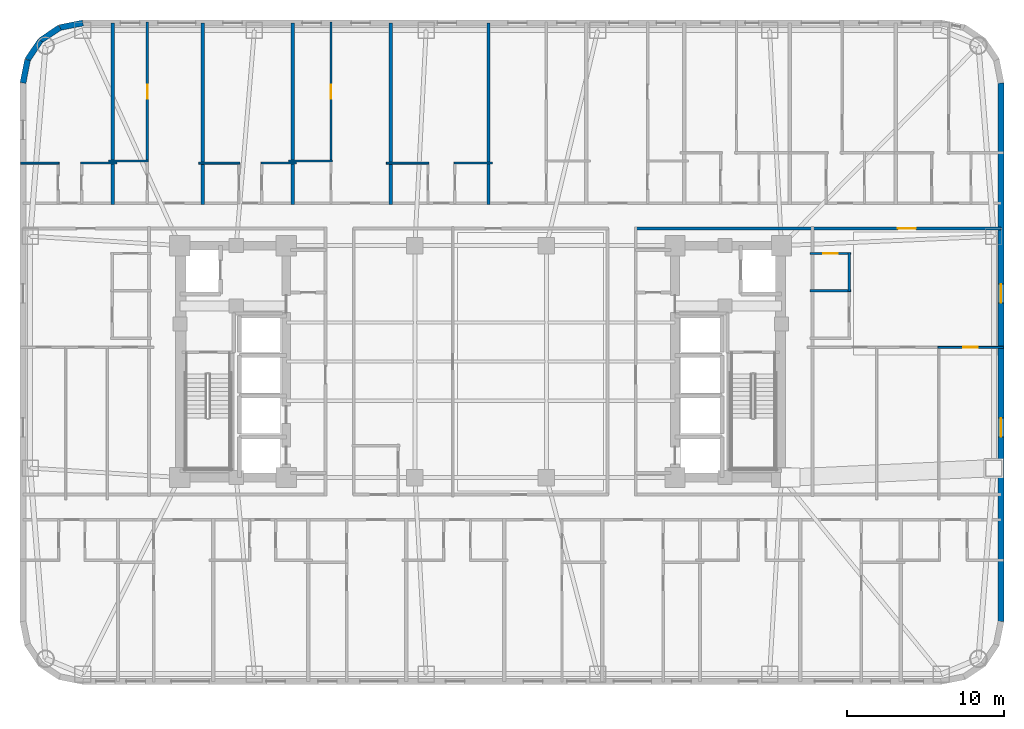
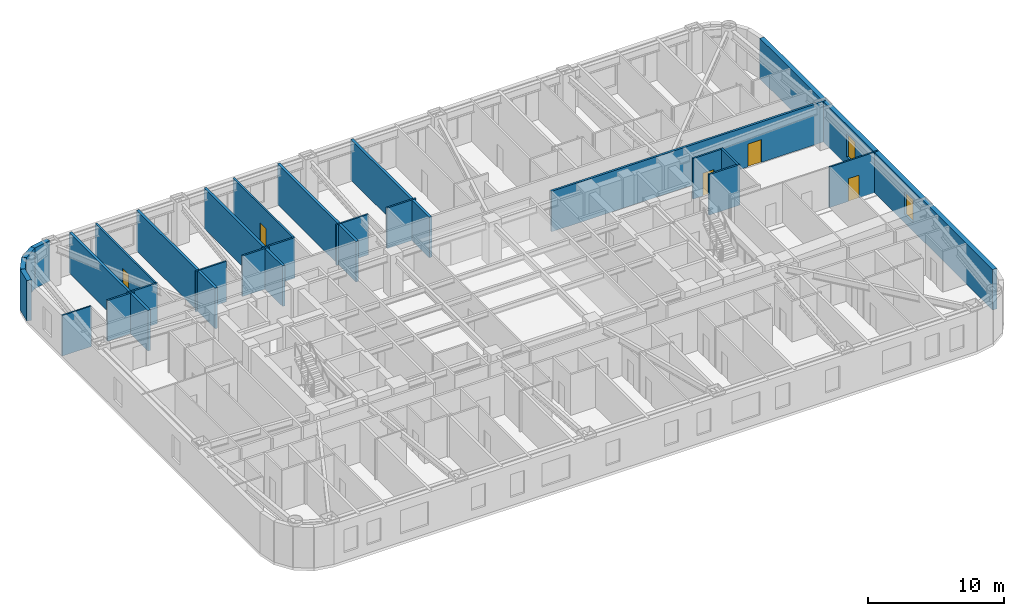
# One storey, part 8 of 13: 25 walls, 5 doors, 2 windows, 7 openings.
"""IFC4 building model written with IfcOpenShell, lengths in metres."""

from ifc_helpers import new_model, si_unit, direction, frame, frame_2d, origin, place, context, subcontext, project, spatial, rectangle, extrude, material, layer, layer_set, type_object, element, fill, save


model = new_model("IFC4")

# Units and contexts
model_context = context("Model", 3, precision=1e-05, world=origin(), true_north=direction((0.0, 1.0)))
body_context = subcontext(model_context, "Body", "Model", "MODEL_VIEW")
ifc_project = project(units=[si_unit("LENGTHUNIT", "METRE"), si_unit("AREAUNIT", "SQUARE_METRE"), si_unit("VOLUMEUNIT", "CUBIC_METRE"), si_unit("PLANEANGLEUNIT", "RADIAN"), si_unit("MASSUNIT", "GRAM", prefix="KILO")], contexts=[model_context])

# Site, building, storey
site_placement = place(None, origin())
site = spatial("IfcSite", under=ifc_project, at=site_placement, CompositionType="ELEMENT")
building_placement = place(site_placement, origin())
building = spatial("IfcBuilding", under=site, at=building_placement, Name="Voryun Gate Residences", CompositionType="ELEMENT")
storey_placement = place(building_placement, frame((0.0, 0.0, 124.800048828125)))
storey = spatial("IfcBuildingStorey", under=building, at=storey_placement, Name="L30", CompositionType="ELEMENT", Elevation=124.800048828125)

# Wall, opening, door
ifc_material_1 = material(Name="Gypsum acoustic fireboard")
ifc_layer_1 = layer(ifc_material_1, 0.179931640625, Name="W_CORR_RATED_180")
ifc_layer_set_1 = layer_set([ifc_layer_1], Name="Gypsum acoustic fireboard")
wall_type_1 = type_object("IfcWallType", Name="W_CORR_RATED_180", PredefinedType="PARTITIONING", material=ifc_layer_set_1)
wall_1_placement = place(storey_placement, frame((9.8798828125, 8.489990234375, 0.0), z_axis=(0.0, 0.0, 1.0), x_axis=(1.0, 0.0, 0.0)))
wall_1 = element("IfcWall", 1, at=wall_1_placement, inside=storey, type_object=wall_type_1, Name="Partition wall WP-L30-CWING-EN", PredefinedType="PARTITIONING", context=body_context, shape_type="SweptSolid", body=[
    extrude(rectangle(XDim=23.330078125, YDim=0.179931640625, at=frame_2d((11.6650390625, 0.0))), origin(), (0.0, 0.0, 1.0), 3.64990234375),
])
opening_1_placement = place(wall_1_placement, frame((16.740478515625, 0.0, 0.0)))
opening_1 = element("IfcOpeningElement", 2, at=opening_1_placement, cuts=wall_1, Name="Opening D-UNIT-1", PredefinedType="OPENING", context=body_context, shape_type="SweptSolid", body=[
    extrude(rectangle(XDim=1.14990234375, YDim=2.050048828125, at=frame_2d((0.574951171875, 1.02490234375))), frame((0.0, 0.099853515625, 0.0), z_axis=(0.0, -1.0, 0.0), x_axis=(1.0, 0.0, 0.0)), (0.0, 0.0, 1.0), 0.199951171875),
])
ifc_material_2 = material(Name="Armoured timber-clad fire door", Category="wood")
door_type_1 = type_object("IfcDoorType", Name="DR_UNIT_ENTRY_1150", OperationType="NOTDEFINED", PredefinedType="DOOR", material=ifc_material_2)
door_1_placement = place(opening_1_placement, origin())
door_1 = element("IfcDoor", 3, at=door_1_placement, inside=storey, type_object=door_type_1, Name="Door DR-L30-EE1N", OperationType="SINGLE_SWING_LEFT", OverallHeight=2.050048828125, OverallWidth=1.14990234375, PredefinedType="DOOR", context=body_context, shape_type="SweptSolid", body=[
    extrude(rectangle(XDim=1.14990234375, YDim=2.050048828125, at=frame_2d((0.574951171875, 1.02490234375))), frame((0.0, 0.02490234375, 0.0), z_axis=(0.0, -1.0, 0.0), x_axis=(1.0, 0.0, 0.0)), (0.0, 0.0, 1.0), 0.050048828125),
])
fill(opening_1, door_1)

# Walls
ifc_material_3 = material(Name="Granite masonry", Category="masonry")
ifc_layer_2 = layer(ifc_material_3, 0.3798828125, Name="W_EXT_GRANITE_380")
ifc_layer_set_2 = layer_set([ifc_layer_2], Name="Granite masonry")
wall_type_2 = type_object("IfcWallType", Name="W_EXT_GRANITE_380", PredefinedType="ELEMENTEDWALL", material=ifc_layer_set_2)
wall_2_placement = place(storey_placement, frame((-29.2099609375, 17.78125, 0.0), z_axis=(0.0, 0.0, 1.0), x_axis=(0.195086038585, 0.980786132421, 0.0)))
element("IfcWall", 4, at=wall_2_placement, inside=storey, type_object=wall_type_2, Name="Exterior wall WEXT-L30-07", PredefinedType="ELEMENTEDWALL", context=body_context, shape_type="SweptSolid", body=[
    extrude(rectangle(XDim=1.504150390625, YDim=0.3798828125, at=frame_2d((0.751953125, 0.0))), origin(), (0.0, 0.0, 1.0), 3.64990234375),
])
wall_3_placement = place(storey_placement, frame((-28.91650390625, 19.256591796875, 0.0), z_axis=(0.0, 0.0, 1.0), x_axis=(0.555610286119, 0.831442848281, 0.0)))
element("IfcWall", 5, at=wall_3_placement, inside=storey, type_object=wall_type_2, Name="Exterior wall WEXT-L30-08", PredefinedType="ELEMENTEDWALL", context=body_context, shape_type="SweptSolid", body=[
    extrude(rectangle(XDim=1.485107421875, YDim=0.3798828125, at=frame_2d((0.74267578125, 0.0))), origin(), (0.0, 0.0, 1.0), 3.64990234375),
])
wall_4_placement = place(storey_placement, frame((-28.09130859375, 20.491455078125, 0.0), z_axis=(0.0, 0.0, 1.0), x_axis=(0.831468045563, 0.555572577804, 0.0)))
element("IfcWall", 6, at=wall_4_placement, inside=storey, type_object=wall_type_2, Name="Exterior wall WEXT-L30-09", PredefinedType="ELEMENTEDWALL", context=body_context, shape_type="SweptSolid", body=[
    extrude(rectangle(XDim=1.48486328125, YDim=0.3798828125, at=frame_2d((0.742431640625, 0.0))), origin(), (0.0, 0.0, 1.0), 3.64990234375),
])
wall_5_placement = place(storey_placement, frame((-26.856689453125, 21.31640625, 0.0), z_axis=(0.0, 0.0, 1.0), x_axis=(0.980755066645, 0.195242155415, 0.0)))
element("IfcWall", 7, at=wall_5_placement, inside=storey, type_object=wall_type_2, Name="Exterior wall WEXT-L30-10", PredefinedType="ELEMENTEDWALL", context=body_context, shape_type="SweptSolid", body=[
    extrude(rectangle(XDim=1.50439453125, YDim=0.3798828125, at=frame_2d((0.752197265625, 0.0))), origin(), (0.0, 0.0, 1.0), 3.64990234375),
])

# Wall, openings, windows
wall_6_placement = place(storey_placement, frame((33.2099609375, 17.78125, 0.0), z_axis=(0.0, 0.0, 1.0), x_axis=(0.0, -1.0, 0.0)))
wall_6 = element("IfcWall", 8, at=wall_6_placement, inside=storey, type_object=wall_type_2, Name="Exterior wall WEXT-L30-16", PredefinedType="ELEMENTEDWALL", context=body_context, shape_type="SweptSolid", body=[
    extrude(rectangle(XDim=34.362548828125, YDim=0.3798828125, at=frame_2d((17.18115234375, 0.0))), origin(), (0.0, 0.0, 1.0), 3.64990234375),
])
opening_2_placement = place(wall_6_placement, frame((12.836181640625, 0.0, 0.75)))
opening_2 = element("IfcOpeningElement", 9, at=opening_2_placement, cuts=wall_6, Name="Opening WN6", PredefinedType="OPENING", context=body_context, shape_type="SweptSolid", body=[
    extrude(rectangle(XDim=1.199951171875, YDim=2.050048828125, at=frame_2d((0.60009765625, 1.02490234375))), frame((0.0, 0.199951171875, 0.0), z_axis=(0.0, -1.0, 0.0), x_axis=(1.0, 0.0, 0.0)), (0.0, 0.0, 1.0), 0.39990234375),
])
opening_3_placement = place(wall_6_placement, frame((21.38623046875, 0.0, 0.75)))
opening_3 = element("IfcOpeningElement", 10, at=opening_3_placement, cuts=wall_6, Name="Opening WN6", PredefinedType="OPENING", context=body_context, shape_type="SweptSolid", body=[
    extrude(rectangle(XDim=1.199951171875, YDim=2.050048828125, at=frame_2d((0.60009765625, 1.02490234375))), frame((0.0, 0.199951171875, 0.0), z_axis=(0.0, -1.0, 0.0), x_axis=(1.0, 0.0, 0.0)), (0.0, 0.0, 1.0), 0.39990234375),
])
ifc_material_4 = material(Name="Laminated low-E glass", Category="glass")
window_type = type_object("IfcWindowType", Name="WN_POD_SLOT_1200", PartitioningType="SINGLE_PANEL", PredefinedType="WINDOW", material=ifc_material_4)
window_1_placement = place(opening_2_placement, origin())
window_1 = element("IfcWindow", 11, at=window_1_placement, inside=storey, type_object=window_type, Name="Window WN-L30-DWFIX-29", OverallHeight=2.050048828125, OverallWidth=1.199951171875, PartitioningType="SINGLE_PANEL", PredefinedType="WINDOW", context=body_context, shape_type="SweptSolid", body=[
    extrude(rectangle(XDim=1.199951171875, YDim=2.050048828125, at=frame_2d((0.60009765625, 1.02490234375))), frame((0.0, 0.030029296875, 0.0), z_axis=(0.0, -1.0, 0.0), x_axis=(1.0, 0.0, 0.0)), (0.0, 0.0, 1.0), 0.06005859375),
])
fill(opening_2, window_1)
window_2_placement = place(opening_3_placement, origin())
window_2 = element("IfcWindow", 12, at=window_2_placement, inside=storey, type_object=window_type, Name="Window WN-L30-DWFIX-30", OverallHeight=2.050048828125, OverallWidth=1.199951171875, PartitioningType="SINGLE_PANEL", PredefinedType="WINDOW", context=body_context, shape_type="SweptSolid", body=[
    extrude(rectangle(XDim=1.199951171875, YDim=2.050048828125, at=frame_2d((0.60009765625, 1.02490234375))), frame((0.0, 0.030029296875, 0.0), z_axis=(0.0, -1.0, 0.0), x_axis=(1.0, 0.0, 0.0)), (0.0, 0.0, 1.0), 0.06005859375),
])
fill(opening_3, window_2)

# Walls
ifc_material_5 = material(Name="Concrete C40/50", Category="concrete")
ifc_layer_3 = layer(ifc_material_5, 0.219970703125, Name="W_PARTY_ACOUSTIC_220")
ifc_layer_set_3 = layer_set([ifc_layer_3], Name="Concrete C40/50")
wall_type_3 = type_object("IfcWallType", Name="W_PARTY_ACOUSTIC_220", PredefinedType="PARTITIONING", material=ifc_layer_set_3)
for number, where, z_axis, x_axis, name in (
    (13, (-23.47802734375, 10.02001953125, 0.0), (0.0, 0.0, 1.0), (0.0, 1.0, 0.0), "Partition wall WP-L30-NPTY-1"),
    (14, (-17.739013671875, 10.02001953125, 0.0), (0.0, 0.0, 1.0), (0.0, 1.0, 0.0), "Partition wall WP-L30-NPTY-2"),
    (15, (-12.0, 10.02001953125, 0.0), (0.0, 0.0, 1.0), (0.0, 1.0, 0.0), "Partition wall WP-L30-NPTY-3"),
    (16, (-5.75, 10.02001953125, 0.0), (0.0, 0.0, 1.0), (0.0, 1.0, 0.0), "Partition wall WP-L30-NPTY-4"),
    (17, (0.5, 10.02001953125, 0.0), (0.0, 0.0, 1.0), (0.0, 1.0, 0.0), "Partition wall WP-L30-NPTY-5"),
):
    element("IfcWall", number, at=place(storey_placement, frame(where, z_axis=z_axis, x_axis=x_axis)), inside=storey, type_object=wall_type_3, Name=name, PredefinedType="PARTITIONING", context=body_context, shape_type="SweptSolid", body=[
        extrude(rectangle(XDim=11.590087890625, YDim=0.219970703125, at=frame_2d((5.794921875, 0.0))), origin(), (0.0, 0.0, 1.0), 3.64990234375),
    ])
ifc_material_6 = material(Name="Gypsum acoustic partition")
ifc_layer_4 = layer(ifc_material_6, 0.125, Name="W_UNIT_PART_125")
ifc_layer_set_4 = layer_set([ifc_layer_4], Name="Gypsum acoustic partition")
wall_type_4 = type_object("IfcWallType", Name="W_UNIT_PART_125", PredefinedType="PARTITIONING", material=ifc_layer_set_4)
wall_7_placement = place(storey_placement, frame((-29.360107421875, 12.669921875, 0.0), z_axis=(0.0, 0.0, 1.0), x_axis=(1.0, 0.0, 0.0)))
element("IfcWall", 18, at=wall_7_placement, inside=storey, type_object=wall_type_4, Name="Partition wall WP-L30-N1-CHK", PredefinedType="PARTITIONING", context=body_context, shape_type="SweptSolid", body=[
    extrude(rectangle(XDim=2.4521484375, YDim=0.125, at=frame_2d((1.22607421875, 0.0))), origin(), (0.0, 0.0, 1.0), 3.64990234375),
])
wall_8_placement = place(storey_placement, frame((-17.9990234375, 12.669921875, 0.0), z_axis=(0.0, 0.0, 1.0), x_axis=(1.0, 0.0, 0.0)))
element("IfcWall", 19, at=wall_8_placement, inside=storey, type_object=wall_type_4, Name="Partition wall WP-L30-N3-CHK", PredefinedType="PARTITIONING", context=body_context, shape_type="SweptSolid", body=[
    extrude(rectangle(XDim=2.630126953125, YDim=0.125, at=frame_2d((1.31494140625, 0.0))), origin(), (0.0, 0.0, 1.0), 3.64990234375),
])
wall_9_placement = place(storey_placement, frame((-6.010009765625, 12.669921875, 0.0), z_axis=(0.0, 0.0, 1.0), x_axis=(1.0, 0.0, 0.0)))
element("IfcWall", 20, at=wall_9_placement, inside=storey, type_object=wall_type_4, Name="Partition wall WP-L30-N5-CHK", PredefinedType="PARTITIONING", context=body_context, shape_type="SweptSolid", body=[
    extrude(rectangle(XDim=2.708984375, YDim=0.125, at=frame_2d((1.3544921875, 0.0))), origin(), (0.0, 0.0, 1.0), 3.64990234375),
])

# Wall, opening, door
wall_10_placement = place(storey_placement, frame((29.179443359375, 0.909912109375, 0.0), z_axis=(0.0, 0.0, 1.0), x_axis=(1.0, 0.0, 0.0)))
wall_10 = element("IfcWall", 21, at=wall_10_placement, inside=storey, type_object=wall_type_4, Name="Partition wall WP-L30-E1-HZMB3", PredefinedType="PARTITIONING", context=body_context, shape_type="SweptSolid", body=[
    extrude(rectangle(XDim=4.1806640625, YDim=0.125, at=frame_2d((2.09033203125, 0.0))), origin(), (0.0, 0.0, 1.0), 3.64990234375),
])
opening_4_placement = place(wall_10_placement, frame((1.631591796875, 0.0, 0.0)))
opening_4 = element("IfcOpeningElement", 22, at=opening_4_placement, cuts=wall_10, Name="Opening D-INT-2", PredefinedType="OPENING", context=body_context, shape_type="SweptSolid", body=[
    extrude(rectangle(XDim=0.89990234375, YDim=2.050048828125, at=frame_2d((0.449951171875, 1.02490234375))), frame((0.0, 0.072509765625, 0.0), z_axis=(0.0, -1.0, 0.0), x_axis=(1.0, 0.0, 0.0)), (0.0, 0.0, 1.0), 0.14501953125),
])
ifc_material_7 = material(Name="Architectural oak veneer")
door_type_2 = type_object("IfcDoorType", Name="DR_INT_BATH_900", OperationType="NOTDEFINED", PredefinedType="DOOR", material=ifc_material_7)
door_2_placement = place(opening_4_placement, origin())
door_2 = element("IfcDoor", 23, at=door_2_placement, inside=storey, type_object=door_type_2, Name="Door DR-L30-E1-DBD3", OperationType="SINGLE_SWING_LEFT", OverallHeight=2.050048828125, OverallWidth=0.89990234375, PredefinedType="DOOR", context=body_context, shape_type="SweptSolid", body=[
    extrude(rectangle(XDim=0.89990234375, YDim=2.050048828125, at=frame_2d((0.449951171875, 1.02490234375))), frame((0.0, 0.02490234375, 0.0), z_axis=(0.0, -1.0, 0.0), x_axis=(1.0, 0.0, 0.0)), (0.0, 0.0, 1.0), 0.050048828125),
])
fill(opening_4, door_2)

# Walls
ifc_material_8 = material(Name="Gypsum moisture-resistant partition")
ifc_layer_5 = layer(ifc_material_8, 0.14990234375, Name="W_WET_PLUMB_150")
ifc_layer_set_5 = layer_set([ifc_layer_5], Name="Gypsum moisture-resistant partition")
wall_type_5 = type_object("IfcWallType", Name="W_WET_PLUMB_150", PredefinedType="PLUMBINGWALL", material=ifc_layer_set_5)
wall_11_placement = place(storey_placement, frame((-25.529052734375, 12.669921875, 0.0), z_axis=(0.0, 0.0, 1.0), x_axis=(1.0, 0.0, 0.0)))
element("IfcWall", 24, at=wall_11_placement, inside=storey, type_object=wall_type_5, Name="Partition wall WP-L30-N1-CHB", PredefinedType="PLUMBINGWALL", context=body_context, shape_type="SweptSolid", body=[
    extrude(rectangle(XDim=2.31103515625, YDim=0.14990234375, at=frame_2d((1.155517578125, 0.0))), origin(), (0.0, 0.0, 1.0), 3.64990234375),
])
wall_12_placement = place(storey_placement, frame((-23.738037109375, 12.800048828125, 0.0), z_axis=(0.0, 0.0, 1.0), x_axis=(1.0, 0.0, 0.0)))
element("IfcWall", 25, at=wall_12_placement, inside=storey, type_object=wall_type_5, Name="Partition wall WP-L30-N2-SKB", PredefinedType="PLUMBINGWALL", context=body_context, shape_type="SweptSolid", body=[
    extrude(rectangle(XDim=2.550048828125, YDim=0.14990234375, at=frame_2d((1.27490234375, 0.0))), origin(), (0.0, 0.0, 1.0), 3.64990234375),
])

# Wall, opening, door
wall_13_placement = place(storey_placement, frame((-21.26806640625, 12.760009765625, 0.0), z_axis=(0.0, 0.0, 1.0), x_axis=(0.0, 1.0, 0.0)))
wall_13 = element("IfcWall", 26, at=wall_13_placement, inside=storey, type_object=wall_type_5, Name="Partition wall WP-L30-N2-SVT2", PredefinedType="PLUMBINGWALL", context=body_context, shape_type="SweptSolid", body=[
    extrude(rectangle(XDim=8.897705078125, YDim=0.14990234375, at=frame_2d((4.44873046875, 0.0))), origin(), (0.0, 0.0, 1.0), 3.64990234375),
])
opening_5_placement = place(wall_13_placement, frame((3.998779296875, 0.0, 0.0)))
opening_5 = element("IfcOpeningElement", 27, at=opening_5_placement, cuts=wall_13, Name="Opening D-INT-2", PredefinedType="OPENING", context=body_context, shape_type="SweptSolid", body=[
    extrude(rectangle(XDim=0.89990234375, YDim=2.050048828125, at=frame_2d((0.449951171875, 1.02490234375))), frame((0.0, 0.0849609375, 0.0), z_axis=(0.0, -1.0, 0.0), x_axis=(1.0, 0.0, 0.0)), (0.0, 0.0, 1.0), 0.169921875),
])
door_3_placement = place(opening_5_placement, origin())
door_3 = element("IfcDoor", 28, at=door_3_placement, inside=storey, type_object=door_type_2, Name="Door DR-L30-N2-DK", OperationType="SINGLE_SWING_RIGHT", OverallHeight=2.050048828125, OverallWidth=0.89990234375, PredefinedType="DOOR", context=body_context, shape_type="SweptSolid", body=[
    extrude(rectangle(XDim=0.89990234375, YDim=2.050048828125, at=frame_2d((0.449951171875, 1.02490234375))), frame((0.0, 0.02490234375, 0.0), z_axis=(0.0, -1.0, 0.0), x_axis=(1.0, 0.0, 0.0)), (0.0, 0.0, 1.0), 0.050048828125),
])
fill(opening_5, door_3)

# Walls
wall_14_placement = place(storey_placement, frame((-14.030029296875, 12.669921875, 0.0), z_axis=(0.0, 0.0, 1.0), x_axis=(1.0, 0.0, 0.0)))
element("IfcWall", 29, at=wall_14_placement, inside=storey, type_object=wall_type_5, Name="Partition wall WP-L30-N3-CHB", PredefinedType="PLUMBINGWALL", context=body_context, shape_type="SweptSolid", body=[
    extrude(rectangle(XDim=2.2900390625, YDim=0.14990234375, at=frame_2d((1.14501953125, 0.0))), origin(), (0.0, 0.0, 1.0), 3.64990234375),
])
wall_15_placement = place(storey_placement, frame((-12.260009765625, 12.800048828125, 0.0), z_axis=(0.0, 0.0, 1.0), x_axis=(1.0, 0.0, 0.0)))
element("IfcWall", 30, at=wall_15_placement, inside=storey, type_object=wall_type_5, Name="Partition wall WP-L30-N4-SKB", PredefinedType="PLUMBINGWALL", context=body_context, shape_type="SweptSolid", body=[
    extrude(rectangle(XDim=2.791015625, YDim=0.14990234375, at=frame_2d((1.3955078125, 0.0))), origin(), (0.0, 0.0, 1.0), 3.64990234375),
])

# Wall, opening, door
wall_16_placement = place(storey_placement, frame((-9.549072265625, 12.760009765625, 0.0), z_axis=(0.0, 0.0, 1.0), x_axis=(0.0, 1.0, 0.0)))
wall_16 = element("IfcWall", 31, at=wall_16_placement, inside=storey, type_object=wall_type_5, Name="Partition wall WP-L30-N4-SVT2", PredefinedType="PLUMBINGWALL", context=body_context, shape_type="SweptSolid", body=[
    extrude(rectangle(XDim=8.897705078125, YDim=0.14990234375, at=frame_2d((4.44873046875, 0.0))), origin(), (0.0, 0.0, 1.0), 3.64990234375),
])
opening_6_placement = place(wall_16_placement, frame((3.998779296875, 0.0, 0.0)))
opening_6 = element("IfcOpeningElement", 32, at=opening_6_placement, cuts=wall_16, Name="Opening D-INT-2", PredefinedType="OPENING", context=body_context, shape_type="SweptSolid", body=[
    extrude(rectangle(XDim=0.89990234375, YDim=2.050048828125, at=frame_2d((0.449951171875, 1.02490234375))), frame((0.0, 0.0849609375, 0.0), z_axis=(0.0, -1.0, 0.0), x_axis=(1.0, 0.0, 0.0)), (0.0, 0.0, 1.0), 0.169921875),
])
door_4_placement = place(opening_6_placement, origin())
door_4 = element("IfcDoor", 33, at=door_4_placement, inside=storey, type_object=door_type_2, Name="Door DR-L30-N4-DK", OperationType="SINGLE_SWING_RIGHT", OverallHeight=2.050048828125, OverallWidth=0.89990234375, PredefinedType="DOOR", context=body_context, shape_type="SweptSolid", body=[
    extrude(rectangle(XDim=0.89990234375, YDim=2.050048828125, at=frame_2d((0.449951171875, 1.02490234375))), frame((0.0, 0.02490234375, 0.0), z_axis=(0.0, -1.0, 0.0), x_axis=(1.0, 0.0, 0.0)), (0.0, 0.0, 1.0), 0.050048828125),
])
fill(opening_6, door_4)

# Wall
wall_17_placement = place(storey_placement, frame((-1.7041015625, 12.669921875, 0.0), z_axis=(0.0, 0.0, 1.0), x_axis=(1.0, 0.0, 0.0)))
element("IfcWall", 34, at=wall_17_placement, inside=storey, type_object=wall_type_5, Name="Partition wall WP-L30-N5-CHB", PredefinedType="PLUMBINGWALL", context=body_context, shape_type="SweptSolid", body=[
    extrude(rectangle(XDim=2.464111328125, YDim=0.14990234375, at=frame_2d((1.23193359375, 0.0))), origin(), (0.0, 0.0, 1.0), 3.64990234375),
])

# Wall, opening, door
wall_18_placement = place(storey_placement, frame((21.02001953125, 6.89990234375, 0.0), z_axis=(0.0, 0.0, 1.0), x_axis=(1.0, 0.0, 0.0)))
wall_18 = element("IfcWall", 35, at=wall_18_placement, inside=storey, type_object=wall_type_5, Name="Partition wall WP-L30-E1-IBT", PredefinedType="PLUMBINGWALL", context=body_context, shape_type="SweptSolid", body=[
    extrude(rectangle(XDim=2.619873046875, YDim=0.14990234375, at=frame_2d((1.31005859375, 0.0))), origin(), (0.0, 0.0, 1.0), 3.64990234375),
])
opening_7_placement = place(wall_18_placement, frame((0.860107421875, 0.0, 0.0)))
opening_7 = element("IfcOpeningElement", 36, at=opening_7_placement, cuts=wall_18, Name="Opening D-INT-2", PredefinedType="OPENING", context=body_context, shape_type="SweptSolid", body=[
    extrude(rectangle(XDim=0.89990234375, YDim=2.050048828125, at=frame_2d((0.449951171875, 1.02490234375))), frame((0.0, 0.0849609375, 0.0), z_axis=(0.0, -1.0, 0.0), x_axis=(1.0, 0.0, 0.0)), (0.0, 0.0, 1.0), 0.169921875),
])
door_5_placement = place(opening_7_placement, origin())
door_5 = element("IfcDoor", 37, at=door_5_placement, inside=storey, type_object=door_type_2, Name="Door DR-L30-E1-DK", OperationType="SINGLE_SWING_LEFT", OverallHeight=2.050048828125, OverallWidth=0.89990234375, PredefinedType="DOOR", context=body_context, shape_type="SweptSolid", body=[
    extrude(rectangle(XDim=0.89990234375, YDim=2.050048828125, at=frame_2d((0.449951171875, 1.02490234375))), frame((0.0, 0.02490234375, 0.0), z_axis=(0.0, -1.0, 0.0), x_axis=(1.0, 0.0, 0.0)), (0.0, 0.0, 1.0), 0.050048828125),
])
fill(opening_7, door_5)

# Walls
wall_19_placement = place(storey_placement, frame((21.02001953125, 4.52001953125, 0.0), z_axis=(0.0, 0.0, 1.0), x_axis=(1.0, 0.0, 0.0)))
element("IfcWall", 38, at=wall_19_placement, inside=storey, type_object=wall_type_5, Name="Partition wall WP-L30-E1-IKB", PredefinedType="PLUMBINGWALL", context=body_context, shape_type="SweptSolid", body=[
    extrude(rectangle(XDim=2.619873046875, YDim=0.14990234375, at=frame_2d((1.31005859375, 0.0))), origin(), (0.0, 0.0, 1.0), 3.64990234375),
])
wall_20_placement = place(storey_placement, frame((23.52001953125, 4.47998046875, 0.0), z_axis=(0.0, 0.0, 1.0), x_axis=(0.0, 1.0, 0.0)))
element("IfcWall", 39, at=wall_20_placement, inside=storey, type_object=wall_type_5, Name="Partition wall WP-L30-E1-VTSK2", PredefinedType="PLUMBINGWALL", context=body_context, shape_type="SweptSolid", body=[
    extrude(rectangle(XDim=2.47998046875, YDim=0.14990234375, at=frame_2d((1.239990234375, 0.0))), origin(), (0.0, 0.0, 1.0), 3.64990234375),
])

save(model, "model.ifc")
